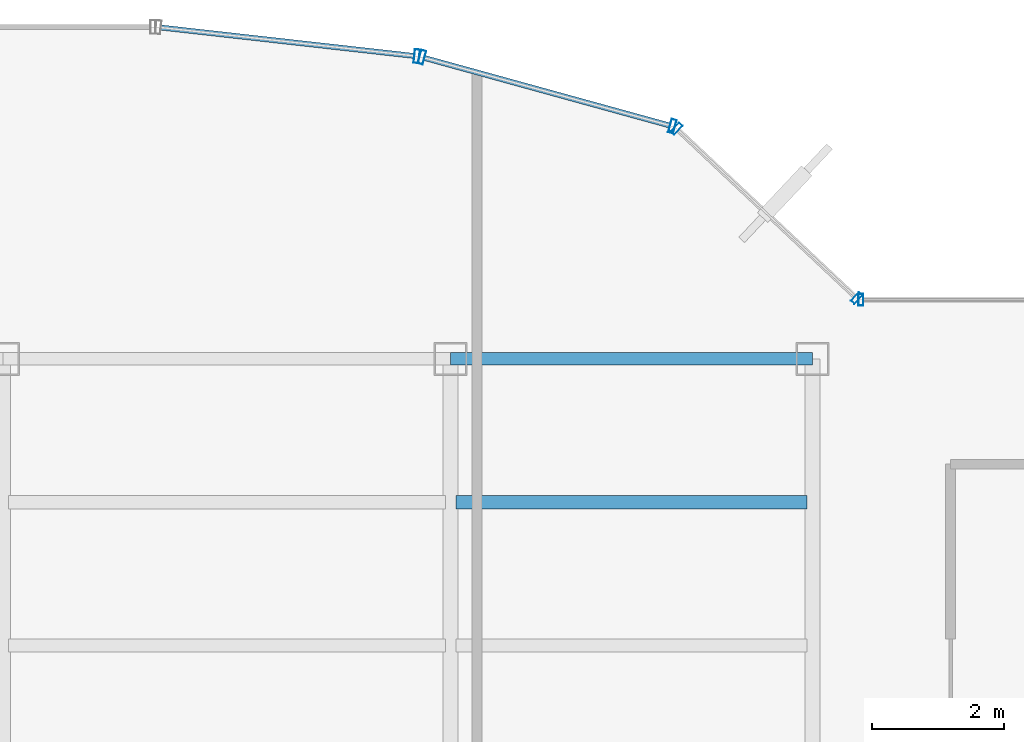
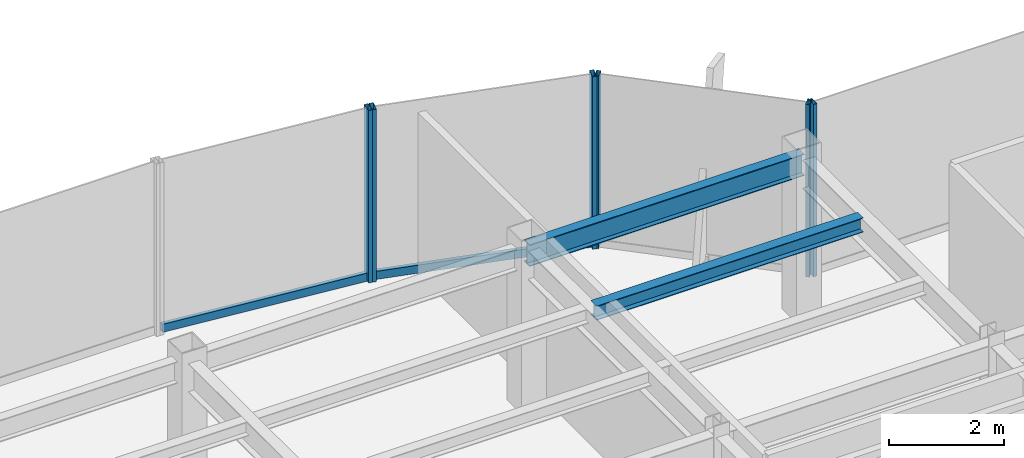
# One storey, part 14 of 22: 8 members, 2 beams, 4 elements without a shape of their own.
"""IFC4 building model written with IfcOpenShell, lengths in metres."""

from ifc_helpers import new_model, si_unit, derived_unit, direction, frame, origin, origin_2d, place, context, subcontext, project, spatial, hollow_rectangle, i_section, extrude, source, transform, mapped, material, material_profile, profile_set, type_object, element, aggregate, save


model = new_model("IFC4")

# Units and contexts
model_context = context("Model", 3, precision=1e-05, world=origin(), true_north=direction((0.0, 1.0)))
body_context = subcontext(model_context, "Body", "Model", "MODEL_VIEW")
ifc_project = project(units=[si_unit("LENGTHUNIT", "METRE"), si_unit("AREAUNIT", "SQUARE_METRE"), si_unit("VOLUMEUNIT", "CUBIC_METRE"), si_unit("PLANEANGLEUNIT", "RADIAN"), si_unit("MASSUNIT", "GRAM", prefix="KILO"), derived_unit("THERMALTRANSMITTANCEUNIT", [(si_unit("POWERUNIT", "WATT"), 1), (si_unit("LENGTHUNIT", "METRE"), -2), (si_unit("THERMODYNAMICTEMPERATUREUNIT", "KELVIN"), -1)])], contexts=[model_context])

# Site, building, storey
site_placement = place(None, origin())
site = spatial("IfcSite", under=ifc_project, at=site_placement, CompositionType="ELEMENT")
building_placement = place(site_placement, origin())
building = spatial("IfcBuilding", under=site, at=building_placement, Name="Skarnbrae Concourse Arena and Tower", CompositionType="ELEMENT")
storey_placement = place(building_placement, frame((0.0, 0.0, 266.10009765625)))
storey = spatial("IfcBuildingStorey", under=building, at=storey_placement, Name="L69", CompositionType="ELEMENT", Elevation=266.10009765625)

# Beams
ifc_material_1 = material(Name="Steel CSA G40.21 350W", Category="steel")
ifc_material_profile_1 = material_profile(ifc_material_1, i_section(OverallWidth=0.19091796875, OverallDepth=0.4599609375, WebThickness=0.010009765625, FlangeThickness=0.01611328125, at=origin_2d()), Name="W460X82")
ifc_profile_set_1 = profile_set([ifc_material_profile_1], Name="Steel CSA G40.21 350W")
beam_type_1 = type_object("IfcBeamType", Name="BM-SPAN-W460X82", PredefinedType="SPANDREL", material=ifc_profile_set_1)
shared_shape_1 = source(origin(), body_context, "Body", "SweptSolid", [
    extrude(i_section(OverallWidth=0.19091796875, OverallDepth=0.4599609375, WebThickness=0.010009765625, FlangeThickness=0.01611328125, at=origin_2d()), origin(), (0.0, 0.0, 1.0), 5.5),
])
beam_1_placement = place(storey_placement, frame((28.0, 34.39990234375, 3.169921875), z_axis=(1.0, 0.0, 0.0), x_axis=(0.0, 1.0, 0.0)))
element("IfcBeam", 1, at=beam_1_placement, inside=storey, type_object=beam_type_1, Name="L69 Perimeter spandrel Y34.4-4", PredefinedType="SPANDREL", context=body_context, shape_type="MappedRepresentation", body=[
    mapped(shared_shape_1, transform((0.0, 0.0, 0.0))),
])
ifc_material_profile_2 = material_profile(ifc_material_1, i_section(OverallWidth=0.202880859375, OverallDepth=0.302978515625, WebThickness=0.007568359375, FlangeThickness=0.01318359375, at=origin_2d()), Name="W310X60")
ifc_profile_set_2 = profile_set([ifc_material_profile_2], Name="Steel CSA G40.21 350W")
beam_type_2 = type_object("IfcBeamType", Name="BM-JOIST-W310X60", PredefinedType="JOIST", material=ifc_profile_set_2)
shared_shape_2 = source(origin(), body_context, "Body", "SweptSolid", [
    extrude(i_section(OverallWidth=0.202880859375, OverallDepth=0.302978515625, WebThickness=0.007568359375, FlangeThickness=0.01318359375, at=origin_2d()), origin(), (0.0, 0.0, 1.0), 5.33984375),
])
beam_2_placement = place(storey_placement, frame((28.080078125, 32.221923828125, 3.248291015625), z_axis=(1.0, 0.0, 0.0), x_axis=(0.0, 1.0, 0.0)))
element("IfcBeam", 2, at=beam_2_placement, inside=storey, type_object=beam_type_2, Name="L69 Secondary floor joist 3.2.4", PredefinedType="JOIST", context=body_context, shape_type="MappedRepresentation", body=[
    mapped(shared_shape_2, transform((0.0, 0.0, 0.0))),
])

# Curtain wall, members
ifc_material_2 = material(Name="Bronze anodised aluminium 6063-T6", Category="aluminium")
curtain_wall_type_1 = type_object("IfcCurtainWallType", Name="CW-SYS-03-PORTAL", PredefinedType="USERDEFINED", material=ifc_material_2)
curtain_wall_1_placement = place(storey_placement, origin())
curtain_wall_1 = element("IfcCurtainWall", 3, at=curtain_wall_1_placement, inside=storey, type_object=curtain_wall_type_1, Name="L69 Unitised curtain wall CW-L69-E09", ObjectType="UNITISED CURTAIN WALL", PredefinedType="USERDEFINED")
ifc_material_profile_3 = material_profile(ifc_material_2, hollow_rectangle(XDim=0.080078125, YDim=0.2099609375, WallThickness=0.00439453125, at=origin_2d()), Name="ALU-MULL-80X210")
ifc_profile_set_3 = profile_set([ifc_material_profile_3], Name="Bronze anodised aluminium 6063-T6")
member_type_1 = type_object("IfcMemberType", Name="CWM-CW-03", PredefinedType="MULLION", material=ifc_profile_set_3)
shared_shape_3 = source(origin(), body_context, "Body", "SweptSolid", [
    extrude(hollow_rectangle(XDim=0.080078125, YDim=0.2099609375, WallThickness=0.00439453125, at=origin_2d()), origin(), (0.0, 0.0, 1.0), 3.64990234375),
])
member_1_placement = place(storey_placement, frame((31.37109375, 37.937255859375, 0.0), z_axis=(0.0, 0.0, 1.0), x_axis=(-0.964057388766, 0.265694093207, 0.0)))
member_1 = element("IfcMember", 4, at=member_1_placement, type_object=member_type_1, Name="CW-L69-E09 Mullion 1", PredefinedType="MULLION", context=body_context, shape_type="MappedRepresentation", body=[
    mapped(shared_shape_3, transform((0.0, 0.0, 0.0))),
])
member_2_placement = place(storey_placement, frame((27.564453125, 38.986572265625, 0.0), z_axis=(0.0, 0.0, 1.0), x_axis=(-0.964057388766, 0.265694093207, 0.0)))
member_2 = element("IfcMember", 5, at=member_2_placement, type_object=member_type_1, Name="CW-L69-E09 Mullion 2", PredefinedType="MULLION", context=body_context, shape_type="MappedRepresentation", body=[
    mapped(shared_shape_3, transform((0.0, 0.0, 0.0))),
])

# Curtain wall, member
curtain_wall_2_placement = place(storey_placement, origin())
curtain_wall_2 = element("IfcCurtainWall", 6, at=curtain_wall_2_placement, inside=storey, type_object=curtain_wall_type_1, Name="L69 Unitised curtain wall CW-L69-E10", ObjectType="UNITISED CURTAIN WALL", PredefinedType="USERDEFINED")
member_3_placement = place(storey_placement, frame((27.486083984375, 39.001708984375, 0.0), z_axis=(0.0, 0.0, 1.0), x_axis=(-0.993768891873, 0.111460259941, 0.0)))
member_3 = element("IfcMember", 7, at=member_3_placement, type_object=member_type_1, Name="CW-L69-E10 Mullion 1", PredefinedType="MULLION", context=body_context, shape_type="MappedRepresentation", body=[
    mapped(shared_shape_3, transform((0.0, 0.0, 0.0))),
])

curtain_wall_type_2 = type_object("IfcCurtainWallType", Name="CW-SYS-05-HIGHZONE", PredefinedType="USERDEFINED", material=ifc_material_2)
curtain_wall_3_placement = place(storey_placement, origin())
curtain_wall_3 = element("IfcCurtainWall", 8, at=curtain_wall_3_placement, inside=storey, type_object=curtain_wall_type_2, Name="L69 Unitised curtain wall CW-L69-E07", ObjectType="UNITISED CURTAIN WALL", PredefinedType="USERDEFINED")
ifc_material_profile_4 = material_profile(ifc_material_2, hollow_rectangle(XDim=0.074951171875, YDim=0.179931640625, WallThickness=0.00390625, at=origin_2d()), Name="ALU-MULL-75X180")
ifc_profile_set_4 = profile_set([ifc_material_profile_4], Name="Bronze anodised aluminium 6063-T6")
member_type_2 = type_object("IfcMemberType", Name="CWM-CW-05", PredefinedType="MULLION", material=ifc_profile_set_4)
shared_shape_4 = source(origin(), body_context, "Body", "SweptSolid", [
    extrude(hollow_rectangle(XDim=0.074951171875, YDim=0.179931640625, WallThickness=0.00390625, at=origin_2d()), origin(), (0.0, 0.0, 1.0), 3.64990234375),
])
member_4_placement = place(storey_placement, frame((34.237548828125, 35.300048828125, 0.0), z_axis=(0.0, 0.0, 1.0), x_axis=(-1.0, 0.0, 0.0)))
member_4 = element("IfcMember", 9, at=member_4_placement, type_object=member_type_2, Name="CW-L69-E07 Mullion 2", PredefinedType="MULLION", context=body_context, shape_type="MappedRepresentation", body=[
    mapped(shared_shape_4, transform((0.0, 0.0, 0.0))),
])
aggregate(curtain_wall_3, [member_4])

# Curtain wall, members
curtain_wall_4_placement = place(storey_placement, origin())
curtain_wall_4 = element("IfcCurtainWall", 10, at=curtain_wall_4_placement, inside=storey, type_object=curtain_wall_type_2, Name="L69 Unitised curtain wall CW-L69-E08", ObjectType="UNITISED CURTAIN WALL", PredefinedType="USERDEFINED")
member_5_placement = place(storey_placement, frame((34.172607421875, 35.32568359375, 0.0), z_axis=(0.0, 0.0, 1.0), x_axis=(-0.728130555214, 0.685438468838, 0.0)))
member_5 = element("IfcMember", 11, at=member_5_placement, type_object=member_type_2, Name="CW-L69-E08 Mullion 1", PredefinedType="MULLION", context=body_context, shape_type="MappedRepresentation", body=[
    mapped(shared_shape_4, transform((0.0, 0.0, 0.0))),
])
member_6_placement = place(storey_placement, frame((31.43701171875, 37.90087890625, 0.0), z_axis=(0.0, 0.0, 1.0), x_axis=(-0.728130555214, 0.685438468838, 0.0)))
member_6 = element("IfcMember", 12, at=member_6_placement, type_object=member_type_2, Name="CW-L69-E08 Mullion 2", PredefinedType="MULLION", context=body_context, shape_type="MappedRepresentation", body=[
    mapped(shared_shape_4, transform((0.0, 0.0, 0.0))),
])
aggregate(curtain_wall_4, [member_5, member_6])

# Member
ifc_material_profile_5 = material_profile(ifc_material_2, hollow_rectangle(XDim=0.080078125, YDim=0.169921875, WallThickness=0.00439453125, at=origin_2d()), Name="ALU-TRAN-80X170")
ifc_profile_set_5 = profile_set([ifc_material_profile_5], Name="Bronze anodised aluminium 6063-T6")
member_type_3 = type_object("IfcMemberType", Name="CWT-CW-03", PredefinedType="USERDEFINED", material=ifc_profile_set_5)
shared_shape_5 = source(origin(), body_context, "Body", "SweptSolid", [
    extrude(hollow_rectangle(XDim=0.080078125, YDim=0.169921875, WallThickness=0.00439453125, at=origin_2d()), origin(), (0.0, 0.0, 1.0), 3.86865234375),
])
member_7_placement = place(storey_placement, frame((31.33251953125, 37.947998046875, 0.0849609375), z_axis=(-0.964062872218, 0.265674195983, 0.0), x_axis=(-0.265674195983, -0.964062872218, 0.0)))
member_7 = element("IfcMember", 13, at=member_7_placement, type_object=member_type_3, Name="CW-L69-E09 Transom 1", ObjectType="TRANSOM", PredefinedType="USERDEFINED", context=body_context, shape_type="MappedRepresentation", body=[
    mapped(shared_shape_5, transform((0.0, 0.0, 0.0))),
])

aggregate(curtain_wall_1, [member_1, member_2, member_7])

shared_shape_6 = source(origin(), body_context, "Body", "SweptSolid", [
    extrude(hollow_rectangle(XDim=0.080078125, YDim=0.169921875, WallThickness=0.00439453125, at=origin_2d()), origin(), (0.0, 0.0, 1.0), 3.873779296875),
])
member_8_placement = place(storey_placement, frame((27.4462890625, 39.006103515625, 0.0849609375), z_axis=(-0.993772558096, 0.111427567397, 0.0), x_axis=(-0.111427567397, -0.993772558096, 0.0)))
member_8 = element("IfcMember", 14, at=member_8_placement, type_object=member_type_3, Name="CW-L69-E10 Transom 1", ObjectType="TRANSOM", PredefinedType="USERDEFINED", context=body_context, shape_type="MappedRepresentation", body=[
    mapped(shared_shape_6, transform((0.0, 0.0, 0.0))),
])

aggregate(curtain_wall_2, [member_3, member_8])

save(model, "model.ifc")
